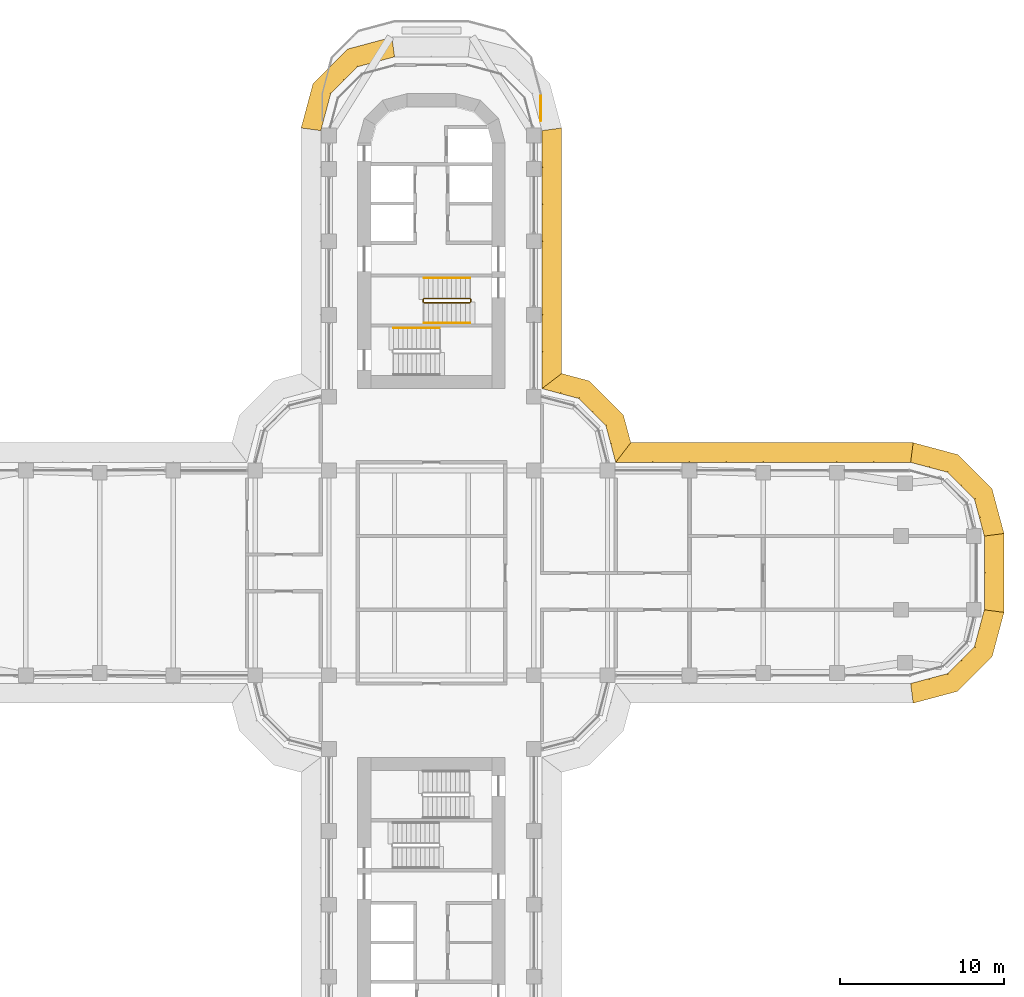
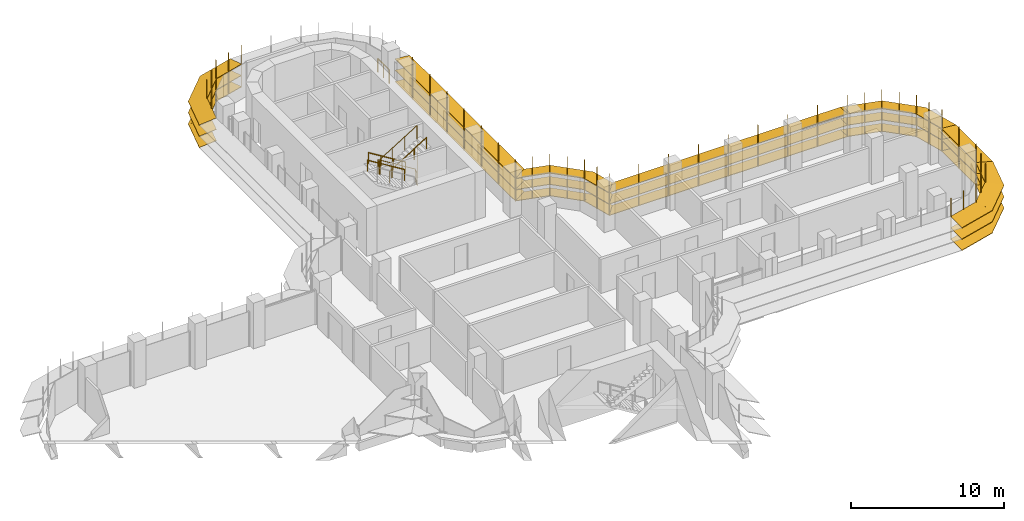
# One storey, part 21 of 22: 7 shading devices, 5 railings.
"""IFC4 building model written with IfcOpenShell, lengths in metres."""

from ifc_helpers import new_model, si_unit, direction, frame, origin, origin_2d, place, context, subcontext, project, spatial, polyline, circle, outline, extrude, faceted_brep, source, transform, mapped, material, type_object, element, save


model = new_model("IFC4")

# Units and contexts
model_context = context("Model", 3, precision=1e-05, world=origin(), true_north=direction((0.0, 1.0)))
body_context = subcontext(model_context, "Body", "Model", "MODEL_VIEW")
ifc_project = project(units=[si_unit("LENGTHUNIT", "METRE"), si_unit("AREAUNIT", "SQUARE_METRE"), si_unit("VOLUMEUNIT", "CUBIC_METRE"), si_unit("PLANEANGLEUNIT", "RADIAN"), si_unit("MASSUNIT", "GRAM", prefix="KILO")], contexts=[model_context])

# Site, building, storey
site_placement = place(None, origin())
site = spatial("IfcSite", under=ifc_project, at=site_placement, CompositionType="ELEMENT")
building_placement = place(site_placement, origin())
building = spatial("IfcBuilding", under=site, at=building_placement, Name="Zarbagh Exchange Tower", CompositionType="ELEMENT")
storey_placement = place(building_placement, frame((0.0, 0.0, 94.199951171875)))
storey = spatial("IfcBuildingStorey", under=building, at=storey_placement, Name="L21", CompositionType="ELEMENT", Elevation=94.199951171875)

# Railings
ifc_material_1 = material(Name="Stainless steel", Category="steel")
railing_type_1 = type_object("IfcRailingType", Name="Stair guard 1100 mm", PredefinedType="GUARDRAIL", material=ifc_material_1)
railing_1_placement = place(storey_placement, frame((-0.449951171875, 16.5, 2.07275390625)))
element("IfcRailing", 1, at=railing_1_placement, inside=storey, type_object=railing_type_1, Name="ST1 stair guard 1", PredefinedType="GUARDRAIL", context=body_context, shape_type="SweptSolid", body=[
    extrude(circle(Radius=0.02392578125, at=origin_2d()), frame((0.0, 0.0, 1.076171875), z_axis=(0.851089632645, 0.0, 0.525020415988), x_axis=(0.0, 1.0, 0.0)), (0.0, 0.0, 1.0), 3.2900390625),
    extrude(circle(Radius=0.02392578125, at=origin_2d()), frame((2.800048828125, 0.0, 2.80322265625), z_axis=(0.013104066473, 0.013168302093, -0.99982742474), x_axis=(-0.708833529934, 0.705375805398, 0.0)), (0.0, 0.0, 1.0), 3.80078125),
    extrude(circle(Radius=0.02392578125, at=origin_2d()), frame((2.849853515625, 0.050048828125, -0.99658203125), z_axis=(0.0, 1.0, 0.0), x_axis=(-1.0, 0.0, 0.0)), (0.0, 0.0, 1.0), 0.14990234375),
    extrude(circle(Radius=0.02392578125, at=origin_2d()), frame((2.849853515625, 0.199951171875, -0.99658203125), z_axis=(-0.266739603011, 0.268047150085, 0.925743328097), x_axis=(-0.708833529934, -0.705375805398, 0.0)), (0.0, 0.0, 1.0), 0.186767578125),
    extrude(circle(Radius=0.02392578125, at=origin_2d()), frame((2.800048828125, 0.25, -0.82373046875), z_axis=(-0.851089632645, 0.0, 0.525020415988), x_axis=(0.0, -1.0, 0.0)), (0.0, 0.0, 1.0), 3.2900390625),
    extrude(circle(Radius=0.02392578125, at=origin_2d()), frame((0.0, 0.25, 0.9033203125), z_axis=(-0.707106781187, -0.707106781187, 0.0), x_axis=(0.707106781187, -0.707106781187, 0.0)), (0.0, 0.0, 1.0), 0.07080078125),
    extrude(circle(Radius=0.02392578125, at=origin_2d()), frame((-0.050048828125, 0.199951171875, 0.9033203125), z_axis=(0.0, -1.0, 0.0), x_axis=(1.0, 0.0, 0.0)), (0.0, 0.0, 1.0), 0.14990234375),
    extrude(circle(Radius=0.02099609375, at=origin_2d()), origin(), (0.0, 0.0, 1.0), 1.052001953125),
    extrude(circle(Radius=0.02099609375, at=origin_2d()), frame((0.933349609375, 0.0, 0.57568359375)), (0.0, 0.0, 1.0), 1.052001953125),
    extrude(circle(Radius=0.02099609375, at=origin_2d()), frame((1.86669921875, 0.0, 1.151611328125)), (0.0, 0.0, 1.0), 1.052001953125),
    extrude(circle(Radius=0.02099609375, at=origin_2d()), frame((2.800048828125, 0.0, 1.727294921875)), (0.0, 0.0, 1.0), 1.052001953125),
    extrude(circle(Radius=0.02099609375, at=origin_2d()), frame((2.8125, 0.012451171875, 0.77734375)), (0.0, 0.0, 1.0), 1.052001953125),
    extrude(circle(Radius=0.02099609375, at=origin_2d()), frame((2.824951171875, 0.02490234375, -0.1728515625)), (0.0, 0.0, 1.0), 1.052001953125),
    extrude(circle(Radius=0.02099609375, at=origin_2d()), frame((2.83740234375, 0.03759765625, -1.122802734375)), (0.0, 0.0, 1.0), 1.052001953125),
    extrude(circle(Radius=0.02099609375, at=origin_2d()), frame((2.849853515625, 0.050048828125, -2.07275390625)), (0.0, 0.0, 1.0), 1.052001953125),
    extrude(circle(Radius=0.02099609375, at=origin_2d()), frame((2.849853515625, 0.199951171875, -2.07275390625)), (0.0, 0.0, 1.0), 1.052001953125),
    extrude(circle(Radius=0.02099609375, at=origin_2d()), frame((2.800048828125, 0.25, -1.89990234375)), (0.0, 0.0, 1.0), 1.052001953125),
    extrude(circle(Radius=0.02099609375, at=origin_2d()), frame((1.86669921875, 0.25, -1.32421875)), (0.0, 0.0, 1.0), 1.052001953125),
    extrude(circle(Radius=0.02099609375, at=origin_2d()), frame((0.933349609375, 0.25, -0.748291015625)), (0.0, 0.0, 1.0), 1.052001953125),
    extrude(circle(Radius=0.02099609375, at=origin_2d()), frame((0.0, 0.25, -0.172607421875)), (0.0, 0.0, 1.0), 1.052001953125),
    extrude(circle(Radius=0.02099609375, at=origin_2d()), frame((-0.050048828125, 0.199951171875, -0.172607421875)), (0.0, 0.0, 1.0), 1.052001953125),
    extrude(circle(Radius=0.02099609375, at=origin_2d()), frame((-0.050048828125, 0.050048828125, -0.172607421875)), (0.0, 0.0, 1.0), 1.052001953125),
])
railing_type_2 = type_object("IfcRailingType", Name="Stair handrail 900 mm", PredefinedType="HANDRAIL", material=ifc_material_1)
railing_2_placement = place(storey_placement, frame((2.35009765625, 18.0, 0.1728515625)))
element("IfcRailing", 2, at=railing_2_placement, inside=storey, type_object=railing_type_2, Name="ST1 stair handrail 1", PredefinedType="HANDRAIL", context=body_context, shape_type="SweptSolid", body=[
    extrude(circle(Radius=0.02392578125, at=origin_2d()), frame((0.0, 0.0, 0.8759765625), z_axis=(-0.851089632645, 0.0, 0.525020415988), x_axis=(0.0, -1.0, 0.0)), (0.0, 0.0, 1.0), 3.2900390625),
    extrude(circle(Radius=0.02099609375, at=origin_2d()), origin(), (0.0, 0.0, 1.0), 0.851806640625),
    extrude(circle(Radius=0.02099609375, at=origin_2d()), frame((-0.933349609375, 0.0, 0.57568359375)), (0.0, 0.0, 1.0), 0.851806640625),
    extrude(circle(Radius=0.02099609375, at=origin_2d()), frame((-1.86669921875, 0.0, 1.151611328125)), (0.0, 0.0, 1.0), 0.851806640625),
    extrude(circle(Radius=0.02099609375, at=origin_2d()), frame((-2.800048828125, 0.0, 1.727294921875)), (0.0, 0.0, 1.0), 0.851806640625),
])
railing_3_placement = place(storey_placement, frame((-0.449951171875, 15.25, 2.07275390625)))
element("IfcRailing", 3, at=railing_3_placement, inside=storey, type_object=railing_type_2, Name="ST1 stair handrail 2", PredefinedType="HANDRAIL", context=body_context, shape_type="SweptSolid", body=[
    extrude(circle(Radius=0.02392578125, at=origin_2d()), frame((0.0, 0.0, 0.8759765625), z_axis=(0.851089632645, 0.0, 0.525020415988), x_axis=(0.0, 1.0, 0.0)), (0.0, 0.0, 1.0), 3.2900390625),
    extrude(circle(Radius=0.02099609375, at=origin_2d()), origin(), (0.0, 0.0, 1.0), 0.851806640625),
    extrude(circle(Radius=0.02099609375, at=origin_2d()), frame((0.933349609375, 0.0, 0.57568359375)), (0.0, 0.0, 1.0), 0.851806640625),
    extrude(circle(Radius=0.02099609375, at=origin_2d()), frame((1.86669921875, 0.0, 1.151611328125)), (0.0, 0.0, 1.0), 0.851806640625),
    extrude(circle(Radius=0.02099609375, at=origin_2d()), frame((2.800048828125, 0.0, 1.727294921875)), (0.0, 0.0, 1.0), 0.851806640625),
])
railing_4_placement = place(storey_placement, frame((0.5, 14.949951171875, 2.07275390625)))
element("IfcRailing", 4, at=railing_4_placement, inside=storey, type_object=railing_type_2, Name="ST2 stair handrail 2", PredefinedType="HANDRAIL", context=body_context, shape_type="SweptSolid", body=[
    extrude(circle(Radius=0.02392578125, at=origin_2d()), frame((0.0, 0.0, 0.8759765625), z_axis=(-0.851089632645, 0.0, 0.525020415988), x_axis=(0.0, -1.0, 0.0)), (0.0, 0.0, 1.0), 3.2900390625),
    extrude(circle(Radius=0.02099609375, at=origin_2d()), origin(), (0.0, 0.0, 1.0), 0.851806640625),
    extrude(circle(Radius=0.02099609375, at=origin_2d()), frame((-0.933349609375, 0.0, 0.57568359375)), (0.0, 0.0, 1.0), 0.851806640625),
    extrude(circle(Radius=0.02099609375, at=origin_2d()), frame((-1.86669921875, 0.0, 1.151611328125)), (0.0, 0.0, 1.0), 0.851806640625),
    extrude(circle(Radius=0.02099609375, at=origin_2d()), frame((-2.800048828125, 0.0, 1.727294921875)), (0.0, 0.0, 1.0), 0.851806640625),
])
ifc_material_2 = material(Name="Stainless steel and laminated glass", Category="steel")
railing_type_3 = type_object("IfcRailingType", Name="Terrace guard, glass balustrade 1.1 m", PredefinedType="GUARDRAIL", material=ifc_material_2)
railing_5_placement = place(storey_placement, frame((6.669921875, 29.11279296875, 0.0)))
element("IfcRailing", 5, at=railing_5_placement, inside=storey, type_object=railing_type_3, Name="TG01 terrace guard", PredefinedType="GUARDRAIL", context=body_context, shape_type="SweptSolid", body=[
    extrude(circle(Radius=0.02490234375, at=origin_2d()), frame((0.0, 0.0, 1.0751953125), z_axis=(0.0, -1.0, 0.0), x_axis=(1.0, 0.0, 0.0)), (0.0, 0.0, 1.0), 1.505126953125),
    extrude(circle(Radius=0.02490234375, at=origin_2d()), origin(), (0.0, 0.0, 1.0), 1.050048828125),
    extrude(circle(Radius=0.02490234375, at=origin_2d()), frame((0.0, -0.75244140625, 0.0)), (0.0, 0.0, 1.0), 1.050048828125),
    extrude(circle(Radius=0.02490234375, at=origin_2d()), frame((0.0, -1.505126953125, 0.0)), (0.0, 0.0, 1.0), 1.050048828125),
])

# Shading devices
ifc_material_3 = material(Name="Anodised aluminium blades and brackets", Category="aluminium")
shading_device_type = type_object("IfcShadingDeviceType", Name="SUNSHADE louvre band, 11.25 degree blades", PredefinedType="JALOUSIE", material=ifc_material_3)
shared_shape_1 = source(origin(), body_context, "Body", "Brep", [
    faceted_brep([(0.0, 0.0, 0.0), (0.0, 0.0, -0.040771484375), (-0.157958984375, -1.199951171875, -0.279541015625), (-0.157958984375, -1.199951171875, -0.23876953125), (2.65087890625, -1.199951171875, -0.23876953125), (2.65087890625, -1.199951171875, -0.279541015625), (2.329345703125, 0.0, -0.040771484375), (2.329345703125, 0.0, 0.0)], [[[0, 1, 2, 3]], [[4, 5, 6, 7]], [[0, 7, 6, 1]], [[1, 6, 5, 2]], [[2, 5, 4, 3]], [[3, 4, 7, 0]]]),
])
shared_shape_2 = source(origin(), body_context, "Body", "Brep", [
    faceted_brep([(0.0, 0.0, 0.0), (0.0, 0.0, -0.040771484375), (-0.321533203125, -1.199951171875, -0.279541015625), (-0.321533203125, -1.199951171875, -0.23876953125), (2.65087890625, -1.199951171875, -0.23876953125), (2.65087890625, -1.199951171875, -0.279541015625), (2.329345703125, 0.0, -0.040771484375), (2.329345703125, 0.0, 0.0)], [[[0, 1, 2, 3]], [[4, 5, 6, 7]], [[0, 7, 6, 1]], [[1, 6, 5, 2]], [[2, 5, 4, 3]], [[3, 4, 7, 0]]]),
])
shared_shape_3 = source(origin(), body_context, "Body", "Brep", [
    faceted_brep([(0.0, 0.0, 0.0), (0.0, 0.0, -0.040771484375), (-0.321533203125, -1.199951171875, -0.279541015625), (-0.321533203125, -1.199951171875, -0.23876953125), (2.4873046875, -1.199951171875, -0.23876953125), (2.4873046875, -1.199951171875, -0.279541015625), (2.329345703125, 0.0, -0.040771484375), (2.329345703125, 0.0, 0.0)], [[[0, 1, 2, 3]], [[4, 5, 6, 7]], [[0, 7, 6, 1]], [[1, 6, 5, 2]], [[2, 5, 4, 3]], [[3, 4, 7, 0]]]),
])
shared_shape_4 = source(origin(), body_context, "Body", "SweptSolid", [
    extrude(outline(polyline([(0.0, -0.012451171875), (0.06005859375, -0.012451171875), (0.06005859375, 0.012451171875), (0.0, 0.012451171875), (0.0, -0.012451171875)])), origin(), (0.0, 0.0, 1.0), 3.350830078125),
])
placement = place(storey_placement, origin())
element("IfcShadingDevice", 6, at=placement, inside=storey, type_object=shading_device_type, Name="SS05 sunshade band", PredefinedType="JALOUSIE", context=body_context, shape_type="MappedRepresentation", body=[
    mapped(shared_shape_1, transform((29.25, -6.75, 2.300048828125), x_axis=(0.965924289636, 0.258824779902, 0.0), y_axis=(-0.258824779902, 0.965924289636, 0.0), z_axis=(0.0, 0.0, 1.0))),
    mapped(shared_shape_1, transform((29.25, -6.75, 1.400146484375), x_axis=(0.965924289636, 0.258824779902, 0.0), y_axis=(-0.258824779902, 0.965924289636, 0.0), z_axis=(0.0, 0.0, 1.0))),
    mapped(shared_shape_1, transform((29.25, -6.75, 0.5), x_axis=(0.965924289636, 0.258824779902, 0.0), y_axis=(-0.258824779902, 0.965924289636, 0.0), z_axis=(0.0, 0.0, 1.0))),
    mapped(shared_shape_2, transform((31.5, -6.147216796875, 2.300048828125), x_axis=(0.707106781187, 0.707106781187, 0.0), y_axis=(-0.707106781187, 0.707106781187, 0.0), z_axis=(0.0, 0.0, 1.0))),
    mapped(shared_shape_2, transform((31.5, -6.147216796875, 1.400146484375), x_axis=(0.707106781187, 0.707106781187, 0.0), y_axis=(-0.707106781187, 0.707106781187, 0.0), z_axis=(0.0, 0.0, 1.0))),
    mapped(shared_shape_2, transform((31.5, -6.147216796875, 0.5), x_axis=(0.707106781187, 0.707106781187, 0.0), y_axis=(-0.707106781187, 0.707106781187, 0.0), z_axis=(0.0, 0.0, 1.0))),
    mapped(shared_shape_3, transform((33.147216796875, -4.5, 2.300048828125), x_axis=(0.258824779902, 0.965924289636, 0.0), y_axis=(-0.965924289636, 0.258824779902, 0.0), z_axis=(0.0, 0.0, 1.0))),
    mapped(shared_shape_3, transform((33.147216796875, -4.5, 1.400146484375), x_axis=(0.258824779902, 0.965924289636, 0.0), y_axis=(-0.965924289636, 0.258824779902, 0.0), z_axis=(0.0, 0.0, 1.0))),
    mapped(shared_shape_3, transform((33.147216796875, -4.5, 0.5), x_axis=(0.258824779902, 0.965924289636, 0.0), y_axis=(-0.965924289636, 0.258824779902, 0.0), z_axis=(0.0, 0.0, 1.0))),
    mapped(shared_shape_4, transform((29.25, -6.75, 0.42919921875), x_axis=(0.130529263012, -0.991444457092, 0.0), y_axis=(0.991444457092, 0.130529263012, 0.0), z_axis=(0.0, 0.0, 1.0))),
    mapped(shared_shape_4, transform((30.375, -6.448486328125, 0.42919921875), x_axis=(0.258825058029, -0.96592421511, 0.0), y_axis=(0.96592421511, 0.258825058029, 0.0), z_axis=(0.0, 0.0, 1.0))),
    mapped(shared_shape_4, transform((31.5, -6.147216796875, 0.42919921875), x_axis=(0.50000275701, -0.866023812018, 0.0), y_axis=(0.866023812018, 0.50000275701, 0.0), z_axis=(0.0, 0.0, 1.0))),
    mapped(shared_shape_4, transform((32.323486328125, -5.323486328125, 0.42919921875), x_axis=(0.707106781187, -0.707106781187, 0.0), y_axis=(0.707106781187, 0.707106781187, 0.0), z_axis=(0.0, 0.0, 1.0))),
    mapped(shared_shape_4, transform((33.147216796875, -4.5, 0.42919921875), x_axis=(0.866023812018, -0.50000275701, 0.0), y_axis=(0.50000275701, 0.866023812018, 0.0), z_axis=(0.0, 0.0, 1.0))),
    mapped(shared_shape_4, transform((33.448486328125, -3.375, 0.42919921875), x_axis=(0.96592421511, -0.258825058029, 0.0), y_axis=(0.258825058029, 0.96592421511, 0.0), z_axis=(0.0, 0.0, 1.0))),
])
element("IfcShadingDevice", 7, at=placement, inside=storey, type_object=shading_device_type, Name="SS07 sunshade band", PredefinedType="JALOUSIE", context=body_context, shape_type="MappedRepresentation", body=[
    mapped(shared_shape_1, transform((33.75, 2.25, 2.300048828125), x_axis=(-0.258824779902, 0.965924289636, 0.0), y_axis=(-0.965924289636, -0.258824779902, 0.0), z_axis=(0.0, 0.0, 1.0))),
    mapped(shared_shape_1, transform((33.75, 2.25, 1.400146484375), x_axis=(-0.258824779902, 0.965924289636, 0.0), y_axis=(-0.965924289636, -0.258824779902, 0.0), z_axis=(0.0, 0.0, 1.0))),
    mapped(shared_shape_1, transform((33.75, 2.25, 0.5), x_axis=(-0.258824779902, 0.965924289636, 0.0), y_axis=(-0.965924289636, -0.258824779902, 0.0), z_axis=(0.0, 0.0, 1.0))),
    mapped(shared_shape_2, transform((33.147216796875, 4.5, 2.300048828125), x_axis=(-0.707106781187, 0.707106781187, 0.0), y_axis=(-0.707106781187, -0.707106781187, 0.0), z_axis=(0.0, 0.0, 1.0))),
    mapped(shared_shape_2, transform((33.147216796875, 4.5, 1.400146484375), x_axis=(-0.707106781187, 0.707106781187, 0.0), y_axis=(-0.707106781187, -0.707106781187, 0.0), z_axis=(0.0, 0.0, 1.0))),
    mapped(shared_shape_2, transform((33.147216796875, 4.5, 0.5), x_axis=(-0.707106781187, 0.707106781187, 0.0), y_axis=(-0.707106781187, -0.707106781187, 0.0), z_axis=(0.0, 0.0, 1.0))),
    mapped(shared_shape_3, transform((31.5, 6.147216796875, 2.300048828125), x_axis=(-0.965924289636, 0.258824779902, 0.0), y_axis=(-0.258824779902, -0.965924289636, 0.0), z_axis=(0.0, 0.0, 1.0))),
    mapped(shared_shape_3, transform((31.5, 6.147216796875, 1.400146484375), x_axis=(-0.965924289636, 0.258824779902, 0.0), y_axis=(-0.258824779902, -0.965924289636, 0.0), z_axis=(0.0, 0.0, 1.0))),
    mapped(shared_shape_3, transform((31.5, 6.147216796875, 0.5), x_axis=(-0.965924289636, 0.258824779902, 0.0), y_axis=(-0.258824779902, -0.965924289636, 0.0), z_axis=(0.0, 0.0, 1.0))),
    mapped(shared_shape_4, transform((33.75, 2.25, 0.42919921875), x_axis=(0.991444457092, 0.130529263012, 0.0), y_axis=(-0.130529263012, 0.991444457092, 0.0), z_axis=(0.0, 0.0, 1.0))),
    mapped(shared_shape_4, transform((33.448486328125, 3.375, 0.42919921875), x_axis=(0.96592421511, 0.258825058029, 0.0), y_axis=(-0.258825058029, 0.96592421511, 0.0), z_axis=(0.0, 0.0, 1.0))),
    mapped(shared_shape_4, transform((33.147216796875, 4.5, 0.42919921875), x_axis=(0.866023812018, 0.50000275701, 0.0), y_axis=(-0.50000275701, 0.866023812018, 0.0), z_axis=(0.0, 0.0, 1.0))),
    mapped(shared_shape_4, transform((32.323486328125, 5.323486328125, 0.42919921875), x_axis=(0.707106781187, 0.707106781187, 0.0), y_axis=(-0.707106781187, 0.707106781187, 0.0), z_axis=(0.0, 0.0, 1.0))),
    mapped(shared_shape_4, transform((31.5, 6.147216796875, 0.42919921875), x_axis=(0.50000275701, 0.866023812018, 0.0), y_axis=(-0.866023812018, 0.50000275701, 0.0), z_axis=(0.0, 0.0, 1.0))),
    mapped(shared_shape_4, transform((30.375, 6.448486328125, 0.42919921875), x_axis=(0.258825058029, 0.96592421511, 0.0), y_axis=(-0.96592421511, 0.258825058029, 0.0), z_axis=(0.0, 0.0, 1.0))),
])
element("IfcShadingDevice", 8, at=placement, inside=storey, type_object=shading_device_type, Name="SS28 sunshade band", PredefinedType="JALOUSIE", context=body_context, shape_type="MappedRepresentation", body=[
    mapped(shared_shape_1, transform((-2.25, 31.5, 2.300048828125), x_axis=(-0.965924289636, -0.258824779902, 0.0), y_axis=(0.258824779902, -0.965924289636, 0.0), z_axis=(0.0, 0.0, 1.0))),
    mapped(shared_shape_1, transform((-2.25, 31.5, 1.400146484375), x_axis=(-0.965924289636, -0.258824779902, 0.0), y_axis=(0.258824779902, -0.965924289636, 0.0), z_axis=(0.0, 0.0, 1.0))),
    mapped(shared_shape_1, transform((-2.25, 31.5, 0.5), x_axis=(-0.965924289636, -0.258824779902, 0.0), y_axis=(0.258824779902, -0.965924289636, 0.0), z_axis=(0.0, 0.0, 1.0))),
    mapped(shared_shape_2, transform((-4.5, 30.897216796875, 2.300048828125), x_axis=(-0.707106781187, -0.707106781187, 0.0), y_axis=(0.707106781187, -0.707106781187, 0.0), z_axis=(0.0, 0.0, 1.0))),
    mapped(shared_shape_2, transform((-4.5, 30.897216796875, 1.400146484375), x_axis=(-0.707106781187, -0.707106781187, 0.0), y_axis=(0.707106781187, -0.707106781187, 0.0), z_axis=(0.0, 0.0, 1.0))),
    mapped(shared_shape_2, transform((-4.5, 30.897216796875, 0.5), x_axis=(-0.707106781187, -0.707106781187, 0.0), y_axis=(0.707106781187, -0.707106781187, 0.0), z_axis=(0.0, 0.0, 1.0))),
    mapped(shared_shape_3, transform((-6.147216796875, 29.25, 2.300048828125), x_axis=(-0.258824779902, -0.965924289636, 0.0), y_axis=(0.965924289636, -0.258824779902, 0.0), z_axis=(0.0, 0.0, 1.0))),
    mapped(shared_shape_3, transform((-6.147216796875, 29.25, 1.400146484375), x_axis=(-0.258824779902, -0.965924289636, 0.0), y_axis=(0.965924289636, -0.258824779902, 0.0), z_axis=(0.0, 0.0, 1.0))),
    mapped(shared_shape_3, transform((-6.147216796875, 29.25, 0.5), x_axis=(-0.258824779902, -0.965924289636, 0.0), y_axis=(0.965924289636, -0.258824779902, 0.0), z_axis=(0.0, 0.0, 1.0))),
    mapped(shared_shape_4, transform((-2.25, 31.5, 0.42919921875), x_axis=(-0.130529263012, 0.991444457092, 0.0), y_axis=(-0.991444457092, -0.130529263012, 0.0), z_axis=(0.0, 0.0, 1.0))),
    mapped(shared_shape_4, transform((-3.375, 31.198486328125, 0.42919921875), x_axis=(-0.258825058029, 0.96592421511, 0.0), y_axis=(-0.96592421511, -0.258825058029, 0.0), z_axis=(0.0, 0.0, 1.0))),
    mapped(shared_shape_4, transform((-4.5, 30.897216796875, 0.42919921875), x_axis=(-0.50000275701, 0.866023812018, 0.0), y_axis=(-0.866023812018, -0.50000275701, 0.0), z_axis=(0.0, 0.0, 1.0))),
    mapped(shared_shape_4, transform((-5.323486328125, 30.073486328125, 0.42919921875), x_axis=(-0.707106781187, 0.707106781187, 0.0), y_axis=(-0.707106781187, -0.707106781187, 0.0), z_axis=(0.0, 0.0, 1.0))),
    mapped(shared_shape_4, transform((-6.147216796875, 29.25, 0.42919921875), x_axis=(-0.866023812018, 0.50000275701, 0.0), y_axis=(-0.50000275701, -0.866023812018, 0.0), z_axis=(0.0, 0.0, 1.0))),
    mapped(shared_shape_4, transform((-6.448486328125, 28.125, 0.42919921875), x_axis=(-0.96592421511, 0.258825058029, 0.0), y_axis=(-0.258825058029, -0.96592421511, 0.0), z_axis=(0.0, 0.0, 1.0))),
])
shared_shape_5 = source(origin(), body_context, "Body", "Brep", [
    faceted_brep([(0.0, 0.0, 0.0), (0.0, 0.0, -0.040771484375), (0.9208984375, -1.199951171875, -0.279541015625), (0.9208984375, -1.199951171875, -0.23876953125), (2.65087890625, -1.199951171875, -0.23876953125), (2.65087890625, -1.199951171875, -0.279541015625), (2.329345703125, 0.0, -0.040771484375), (2.329345703125, 0.0, 0.0)], [[[0, 1, 2, 3]], [[4, 5, 6, 7]], [[0, 7, 6, 1]], [[1, 6, 5, 2]], [[2, 5, 4, 3]], [[3, 4, 7, 0]]]),
])
shared_shape_6 = source(origin(), body_context, "Body", "Brep", [
    faceted_brep([(0.0, 0.0, 0.0), (0.0, 0.0, -0.040771484375), (-0.321533203125, -1.199951171875, -0.279541015625), (-0.321533203125, -1.199951171875, -0.23876953125), (1.40869140625, -1.199951171875, -0.23876953125), (1.40869140625, -1.199951171875, -0.279541015625), (2.329345703125, 0.0, -0.040771484375), (2.329345703125, 0.0, 0.0)], [[[0, 1, 2, 3]], [[4, 5, 6, 7]], [[0, 7, 6, 1]], [[1, 6, 5, 2]], [[2, 5, 4, 3]], [[3, 4, 7, 0]]]),
])
element("IfcShadingDevice", 9, at=placement, inside=storey, type_object=shading_device_type, Name="SS09 sunshade band", PredefinedType="JALOUSIE", context=body_context, shape_type="MappedRepresentation", body=[
    mapped(shared_shape_5, transform((11.25, 6.75, 2.300048828125), x_axis=(-0.258824779902, 0.965924289636, 0.0), y_axis=(-0.965924289636, -0.258824779902, 0.0), z_axis=(0.0, 0.0, 1.0))),
    mapped(shared_shape_5, transform((11.25, 6.75, 1.400146484375), x_axis=(-0.258824779902, 0.965924289636, 0.0), y_axis=(-0.965924289636, -0.258824779902, 0.0), z_axis=(0.0, 0.0, 1.0))),
    mapped(shared_shape_5, transform((11.25, 6.75, 0.5), x_axis=(-0.258824779902, 0.965924289636, 0.0), y_axis=(-0.965924289636, -0.258824779902, 0.0), z_axis=(0.0, 0.0, 1.0))),
    mapped(shared_shape_2, transform((10.647216796875, 9.0, 2.300048828125), x_axis=(-0.707106781187, 0.707106781187, 0.0), y_axis=(-0.707106781187, -0.707106781187, 0.0), z_axis=(0.0, 0.0, 1.0))),
    mapped(shared_shape_2, transform((10.647216796875, 9.0, 1.400146484375), x_axis=(-0.707106781187, 0.707106781187, 0.0), y_axis=(-0.707106781187, -0.707106781187, 0.0), z_axis=(0.0, 0.0, 1.0))),
    mapped(shared_shape_2, transform((10.647216796875, 9.0, 0.5), x_axis=(-0.707106781187, 0.707106781187, 0.0), y_axis=(-0.707106781187, -0.707106781187, 0.0), z_axis=(0.0, 0.0, 1.0))),
    mapped(shared_shape_6, transform((9.0, 10.647216796875, 2.300048828125), x_axis=(-0.965924289636, 0.258824779902, 0.0), y_axis=(-0.258824779902, -0.965924289636, 0.0), z_axis=(0.0, 0.0, 1.0))),
    mapped(shared_shape_6, transform((9.0, 10.647216796875, 1.400146484375), x_axis=(-0.965924289636, 0.258824779902, 0.0), y_axis=(-0.258824779902, -0.965924289636, 0.0), z_axis=(0.0, 0.0, 1.0))),
    mapped(shared_shape_6, transform((9.0, 10.647216796875, 0.5), x_axis=(-0.965924289636, 0.258824779902, 0.0), y_axis=(-0.258824779902, -0.965924289636, 0.0), z_axis=(0.0, 0.0, 1.0))),
    mapped(shared_shape_4, transform((11.25, 6.75, 0.42919921875), x_axis=(0.608758892, 0.793355287, 0.0), y_axis=(-0.793355287, 0.608758892, 0.0), z_axis=(0.0, 0.0, 1.0))),
    mapped(shared_shape_4, transform((10.948486328125, 7.875, 0.42919921875), x_axis=(0.96592421511, 0.258825058029, 0.0), y_axis=(-0.258825058029, 0.96592421511, 0.0), z_axis=(0.0, 0.0, 1.0))),
    mapped(shared_shape_4, transform((10.647216796875, 9.0, 0.42919921875), x_axis=(0.866023812018, 0.50000275701, 0.0), y_axis=(-0.50000275701, 0.866023812018, 0.0), z_axis=(0.0, 0.0, 1.0))),
    mapped(shared_shape_4, transform((9.823486328125, 9.823486328125, 0.42919921875), x_axis=(0.707106781187, 0.707106781187, 0.0), y_axis=(-0.707106781187, 0.707106781187, 0.0), z_axis=(0.0, 0.0, 1.0))),
    mapped(shared_shape_4, transform((9.0, 10.647216796875, 0.42919921875), x_axis=(0.50000275701, 0.866023812018, 0.0), y_axis=(-0.866023812018, 0.50000275701, 0.0), z_axis=(0.0, 0.0, 1.0))),
    mapped(shared_shape_4, transform((7.875, 10.948486328125, 0.42919921875), x_axis=(0.258825058029, 0.96592421511, 0.0), y_axis=(-0.96592421511, 0.258825058029, 0.0), z_axis=(0.0, 0.0, 1.0))),
])
shared_shape_7 = source(origin(), body_context, "Body", "Brep", [
    faceted_brep([(0.0, 0.0, 0.0), (0.0, 0.0, -0.040771484375), (-0.157958984375, -1.199951171875, -0.279541015625), (-0.157958984375, -1.199951171875, -0.23876953125), (4.657958984375, -1.199951171875, -0.23876953125), (4.657958984375, -1.199951171875, -0.279541015625), (4.5, 0.0, -0.040771484375), (4.5, 0.0, 0.0)], [[[0, 1, 2, 3]], [[4, 5, 6, 7]], [[0, 7, 6, 1]], [[1, 6, 5, 2]], [[2, 5, 4, 3]], [[3, 4, 7, 0]]]),
])
element("IfcShadingDevice", 10, at=placement, inside=storey, type_object=shading_device_type, Name="SS06 sunshade band", PredefinedType="JALOUSIE", context=body_context, shape_type="MappedRepresentation", body=[
    mapped(shared_shape_7, transform((33.75, -2.25, 2.300048828125), x_axis=(0.0, 1.0, 0.0), y_axis=(-1.0, 0.0, 0.0), z_axis=(0.0, 0.0, 1.0))),
    mapped(shared_shape_7, transform((33.75, -2.25, 1.400146484375), x_axis=(0.0, 1.0, 0.0), y_axis=(-1.0, 0.0, 0.0), z_axis=(0.0, 0.0, 1.0))),
    mapped(shared_shape_7, transform((33.75, -2.25, 0.5), x_axis=(0.0, 1.0, 0.0), y_axis=(-1.0, 0.0, 0.0), z_axis=(0.0, 0.0, 1.0))),
    mapped(shared_shape_4, transform((33.75, -2.25, 0.42919921875), x_axis=(0.991444457092, -0.130529263012, 0.0), y_axis=(0.130529263012, 0.991444457092, 0.0), z_axis=(0.0, 0.0, 1.0))),
    mapped(shared_shape_4, transform((33.75, 0.0, 0.42919921875), x_axis=(1.0, 0.0, 0.0), y_axis=(0.0, 1.0, 0.0), z_axis=(0.0, 0.0, 1.0))),
])
shared_shape_8 = source(origin(), body_context, "Body", "Brep", [
    faceted_brep([(0.0, 0.0, 0.0), (0.0, 0.0, -0.040771484375), (-0.157958984375, -1.199951171875, -0.279541015625), (-0.157958984375, -1.199951171875, -0.23876953125), (17.0791015625, -1.199951171875, -0.23876953125), (17.0791015625, -1.199951171875, -0.279541015625), (18.0, 0.0, -0.040771484375), (18.0, 0.0, 0.0)], [[[0, 1, 2, 3]], [[4, 5, 6, 7]], [[0, 7, 6, 1]], [[1, 6, 5, 2]], [[2, 5, 4, 3]], [[3, 4, 7, 0]]]),
])
element("IfcShadingDevice", 11, at=placement, inside=storey, type_object=shading_device_type, Name="SS08 sunshade band", PredefinedType="JALOUSIE", context=body_context, shape_type="MappedRepresentation", body=[
    mapped(shared_shape_8, transform((29.25, 6.75, 2.300048828125), x_axis=(-1.0, 0.0, 0.0), y_axis=(0.0, -1.0, 0.0), z_axis=(0.0, 0.0, 1.0))),
    mapped(shared_shape_8, transform((29.25, 6.75, 1.400146484375), x_axis=(-1.0, 0.0, 0.0), y_axis=(0.0, -1.0, 0.0), z_axis=(0.0, 0.0, 1.0))),
    mapped(shared_shape_8, transform((29.25, 6.75, 0.5), x_axis=(-1.0, 0.0, 0.0), y_axis=(0.0, -1.0, 0.0), z_axis=(0.0, 0.0, 1.0))),
    mapped(shared_shape_4, transform((29.25, 6.75, 0.42919921875), x_axis=(0.130529263012, 0.991444457092, 0.0), y_axis=(-0.991444457092, 0.130529263012, 0.0), z_axis=(0.0, 0.0, 1.0))),
    mapped(shared_shape_4, transform((27.0, 6.75, 0.42919921875), x_axis=(0.0, 1.0, 0.0), y_axis=(-1.0, 0.0, 0.0), z_axis=(0.0, 0.0, 1.0))),
    mapped(shared_shape_4, transform((24.75, 6.75, 0.42919921875), x_axis=(0.0, 1.0, 0.0), y_axis=(-1.0, 0.0, 0.0), z_axis=(0.0, 0.0, 1.0))),
    mapped(shared_shape_4, transform((22.5, 6.75, 0.42919921875), x_axis=(0.0, 1.0, 0.0), y_axis=(-1.0, 0.0, 0.0), z_axis=(0.0, 0.0, 1.0))),
    mapped(shared_shape_4, transform((20.25, 6.75, 0.42919921875), x_axis=(0.0, 1.0, 0.0), y_axis=(-1.0, 0.0, 0.0), z_axis=(0.0, 0.0, 1.0))),
    mapped(shared_shape_4, transform((18.0, 6.75, 0.42919921875), x_axis=(0.0, 1.0, 0.0), y_axis=(-1.0, 0.0, 0.0), z_axis=(0.0, 0.0, 1.0))),
    mapped(shared_shape_4, transform((15.75, 6.75, 0.42919921875), x_axis=(0.0, 1.0, 0.0), y_axis=(-1.0, 0.0, 0.0), z_axis=(0.0, 0.0, 1.0))),
    mapped(shared_shape_4, transform((13.5, 6.75, 0.42919921875), x_axis=(0.0, 1.0, 0.0), y_axis=(-1.0, 0.0, 0.0), z_axis=(0.0, 0.0, 1.0))),
])
shared_shape_9 = source(origin(), body_context, "Body", "Brep", [
    faceted_brep([(0.0, 0.0, 0.0), (0.0, 0.0, -0.040771484375), (0.9208984375, -1.199951171875, -0.279541015625), (0.9208984375, -1.199951171875, -0.23876953125), (15.907958984375, -1.199951171875, -0.23876953125), (15.907958984375, -1.199951171875, -0.279541015625), (15.75, 0.0, -0.040771484375), (15.75, 0.0, 0.0)], [[[0, 1, 2, 3]], [[4, 5, 6, 7]], [[0, 7, 6, 1]], [[1, 6, 5, 2]], [[2, 5, 4, 3]], [[3, 4, 7, 0]]]),
])
element("IfcShadingDevice", 12, at=placement, inside=storey, type_object=shading_device_type, Name="SS25 sunshade band", PredefinedType="JALOUSIE", context=body_context, shape_type="MappedRepresentation", body=[
    mapped(shared_shape_9, transform((6.75, 11.25, 2.300048828125), x_axis=(0.0, 1.0, 0.0), y_axis=(-1.0, 0.0, 0.0), z_axis=(0.0, 0.0, 1.0))),
    mapped(shared_shape_9, transform((6.75, 11.25, 1.400146484375), x_axis=(0.0, 1.0, 0.0), y_axis=(-1.0, 0.0, 0.0), z_axis=(0.0, 0.0, 1.0))),
    mapped(shared_shape_9, transform((6.75, 11.25, 0.5), x_axis=(0.0, 1.0, 0.0), y_axis=(-1.0, 0.0, 0.0), z_axis=(0.0, 0.0, 1.0))),
    mapped(shared_shape_4, transform((6.75, 11.25, 0.42919921875), x_axis=(0.793355287, 0.608758892, 0.0), y_axis=(-0.608758892, 0.793355287, 0.0), z_axis=(0.0, 0.0, 1.0))),
    mapped(shared_shape_4, transform((6.75, 13.5, 0.42919921875), x_axis=(1.0, 0.0, 0.0), y_axis=(0.0, 1.0, 0.0), z_axis=(0.0, 0.0, 1.0))),
    mapped(shared_shape_4, transform((6.75, 15.75, 0.42919921875), x_axis=(1.0, 0.0, 0.0), y_axis=(0.0, 1.0, 0.0), z_axis=(0.0, 0.0, 1.0))),
    mapped(shared_shape_4, transform((6.75, 18.0, 0.42919921875), x_axis=(1.0, 0.0, 0.0), y_axis=(0.0, 1.0, 0.0), z_axis=(0.0, 0.0, 1.0))),
    mapped(shared_shape_4, transform((6.75, 20.25, 0.42919921875), x_axis=(1.0, 0.0, 0.0), y_axis=(0.0, 1.0, 0.0), z_axis=(0.0, 0.0, 1.0))),
    mapped(shared_shape_4, transform((6.75, 22.5, 0.42919921875), x_axis=(1.0, 0.0, 0.0), y_axis=(0.0, 1.0, 0.0), z_axis=(0.0, 0.0, 1.0))),
    mapped(shared_shape_4, transform((6.75, 24.75, 0.42919921875), x_axis=(1.0, 0.0, 0.0), y_axis=(0.0, 1.0, 0.0), z_axis=(0.0, 0.0, 1.0))),
])

save(model, "model.ifc")
